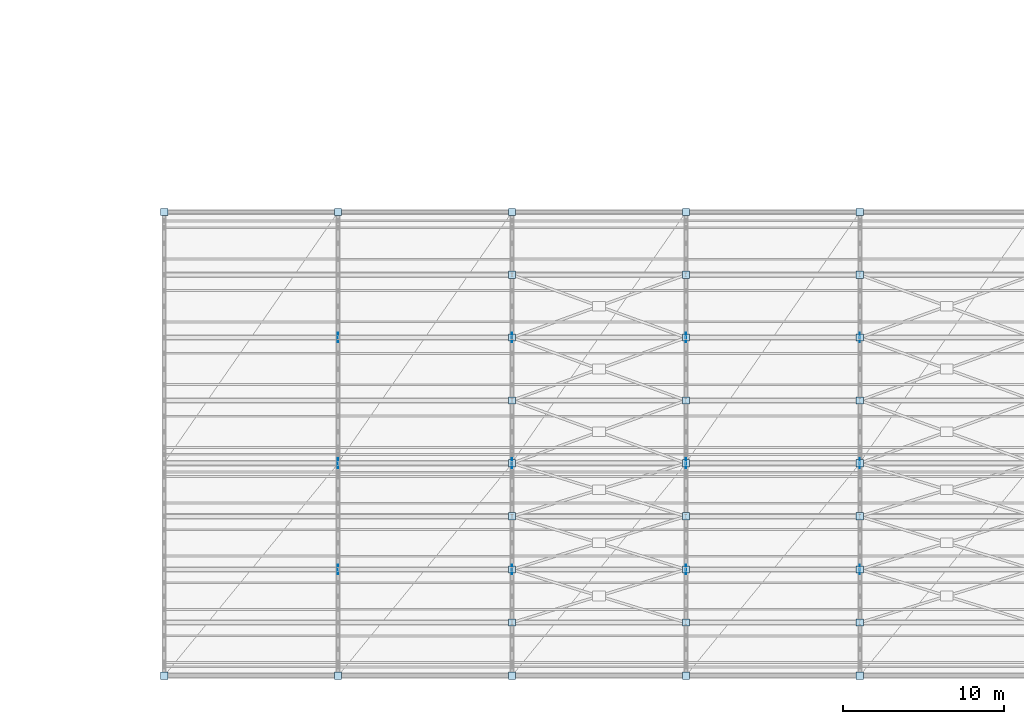
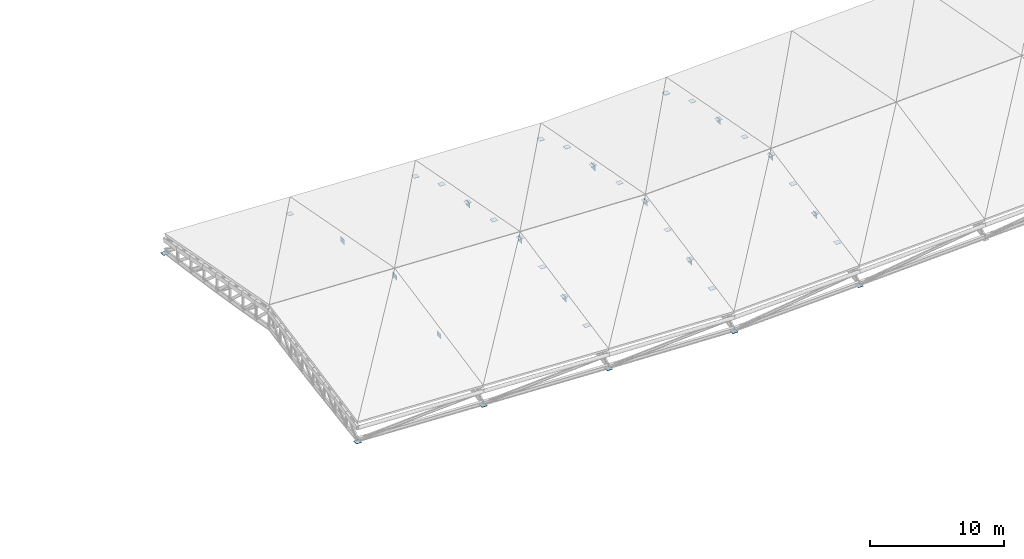
# One storey, part 63 of 89: 43 plates.
"""IFC4 building model written with IfcOpenShell, lengths in metres."""

from ifc_helpers import new_model, si_unit, direction, frame, origin, origin_2d, place, context, subcontext, project, spatial, rectangle, extrude, material, layer, layer_set, type_object, element, save


model = new_model("IFC4")

# Units and contexts
model_context = context("Model", 3, precision=1e-05, world=origin(), true_north=direction((0.0, 1.0)))
body_context = subcontext(model_context, "Body", "Model", "MODEL_VIEW")
ifc_project = project(units=[si_unit("LENGTHUNIT", "METRE"), si_unit("AREAUNIT", "SQUARE_METRE"), si_unit("VOLUMEUNIT", "CUBIC_METRE"), si_unit("PLANEANGLEUNIT", "RADIAN"), si_unit("MASSUNIT", "GRAM", prefix="KILO")], contexts=[model_context])

# Site, building, storey
site_placement = place(None, origin())
site = spatial("IfcSite", under=ifc_project, at=site_placement, CompositionType="ELEMENT")
building_placement = place(site_placement, origin())
building = spatial("IfcBuilding", under=site, at=building_placement, Name="Suirenkawa Promenade Aquatics Centre", CompositionType="ELEMENT")
storey_placement = place(building_placement, frame((0.0, 0.0, 9.60009765625)))
storey = spatial("IfcBuildingStorey", under=building, at=storey_placement, Name="L02", CompositionType="ELEMENT", Elevation=9.60009765625)

# Plates
ifc_material = material(Name="Steel IS 2062 E350 (Grade 350)", Category="steel")
ifc_layer_1 = layer(ifc_material, 0.02392578125, Name="Steel IS 2062 E350 (Grade 350)", Category="steel")
ifc_layer_set_1 = layer_set([ifc_layer_1], Name="Steel IS 2062 E350 (Grade 350)")
plate_type_1 = type_object("IfcPlateType", Name="PLT-BEAR-450x450x24", PredefinedType="SHEET", material=ifc_layer_set_1)
for number, where, z_axis, x_axis, name in (
    (1, (79.199951171875, 0.0, -1.485107421875), (0.0, 0.0, 1.0), (1.0, 0.0, 0.0), "Truss node plate TN-03 PLG-0188"),
    (2, (79.199951171875, 28.800048828125, -1.78515625), (0.0, 0.0, 1.0), (1.0, 0.0, 0.0), "Truss node plate TN-03 PLG-0189"),
    (3, (90.0, 0.0, -1.93505859375), (0.0, 0.0, 1.0), (1.0, 0.0, 0.0), "Truss node plate TN-03 PLG-0190"),
    (4, (90.0, 28.800048828125, -1.97509765625), (0.0, 0.0, 1.0), (1.0, 0.0, 0.0), "Truss node plate TN-03 PLG-0191"),
    (5, (100.800048828125, 0.0, -2.385009765625), (0.0, 0.0, 1.0), (1.0, 0.0, 0.0), "Truss node plate TN-03 PLG-0195"),
    (6, (100.800048828125, 28.800048828125, -2.3349609375), (0.0, 0.0, 1.0), (1.0, 0.0, 0.0), "Truss node plate TN-03 PLG-0196"),
    (7, (111.60009765625, 0.0, -2.78515625), (0.0, 0.0, 1.0), (1.0, 0.0, 0.0), "Truss node plate TN-03 PLG-0200"),
    (8, (111.60009765625, 28.800048828125, -2.735107421875), (0.0, 0.0, 1.0), (1.0, 0.0, 0.0), "Truss node plate TN-03 PLG-0201"),
    (9, (122.39990234375, 0.0, -2.385009765625), (0.0, 0.0, 1.0), (1.0, 0.0, 0.0), "Truss node plate TN-03 PLG-0205"),
    (10, (122.39990234375, 28.800048828125, -2.3349609375), (0.0, 0.0, 1.0), (1.0, 0.0, 0.0), "Truss node plate TN-03 PLG-0206"),
):
    element("IfcPlate", number, at=place(storey_placement, frame(where, z_axis=z_axis, x_axis=x_axis)), inside=storey, type_object=plate_type_1, Name=name, PredefinedType="SHEET", context=body_context, shape_type="SweptSolid", body=[
        extrude(rectangle(XDim=0.449951171875, YDim=0.449951171875, at=origin_2d()), origin(), (0.0, 0.0, 1.0), 0.02392578125),
    ])
ifc_layer_2 = layer(ifc_material, 0.01611328125, Name="Steel IS 2062 E350 (Grade 350)", Category="steel")
ifc_layer_set_2 = layer_set([ifc_layer_2], Name="Steel IS 2062 E350 (Grade 350)")
plate_type_2 = type_object("IfcPlateType", Name="PLT-GUSSET-600x450x16", PredefinedType="USERDEFINED", material=ifc_layer_set_2)
for number, where, z_axis, x_axis, name in (
    (11, (90.0, 6.60009765625, 0.27978515625), (0.0, 0.0, 1.0), (0.0, 1.0, 0.0), "Truss node plate TN-06 PLG-0192"),
    (12, (90.0, 13.199951171875, 1.60498046875), (0.0, 0.0, 1.0), (0.0, 1.0, 0.0), "Truss node plate TN-06 PLG-0193"),
    (13, (90.0, 21.0, 0.1298828125), (0.0, 0.0, 1.0), (0.0, 1.0, 0.0), "Truss node plate TN-06 PLG-0194"),
    (14, (100.800048828125, 6.60009765625, -0.169921875), (0.0, 0.0, 1.0), (0.0, 1.0, 0.0), "Truss node plate TN-06 PLG-0197"),
    (15, (100.800048828125, 13.199951171875, 1.15478515625), (0.0, 0.0, 1.0), (0.0, 1.0, 0.0), "Truss node plate TN-06 PLG-0198"),
    (16, (100.800048828125, 21.0, -0.3203125), (0.0, 0.0, 1.0), (0.0, 1.0, 0.0), "Truss node plate TN-06 PLG-0199"),
    (17, (111.60009765625, 6.60009765625, -0.5703125), (0.0, 0.0, 1.0), (0.0, 1.0, 0.0), "Truss node plate TN-06 PLG-0202"),
    (18, (111.60009765625, 13.199951171875, 0.7548828125), (0.0, 0.0, 1.0), (0.0, 1.0, 0.0), "Truss node plate TN-06 PLG-0203"),
    (19, (111.60009765625, 21.0, -0.72021484375), (0.0, 0.0, 1.0), (0.0, 1.0, 0.0), "Truss node plate TN-06 PLG-0204"),
    (20, (122.39990234375, 6.60009765625, -0.169921875), (0.0, 0.0, 1.0), (0.0, 1.0, 0.0), "Truss node plate TN-06 PLG-0207"),
    (21, (122.39990234375, 13.199951171875, 1.15478515625), (0.0, 0.0, 1.0), (0.0, 1.0, 0.0), "Truss node plate TN-06 PLG-0208"),
    (22, (122.39990234375, 21.0, -0.3203125), (0.0, 0.0, 1.0), (0.0, 1.0, 0.0), "Truss node plate TN-06 PLG-0209"),
):
    element("IfcPlate", number, at=place(storey_placement, frame(where, z_axis=z_axis, x_axis=x_axis)), inside=storey, type_object=plate_type_2, Name=name, ObjectType="GUSSET", PredefinedType="USERDEFINED", context=body_context, shape_type="SweptSolid", body=[
        extrude(rectangle(XDim=0.60009765625, YDim=0.01611328125, at=origin_2d()), origin(), (0.0, 0.0, 1.0), 0.449951171875),
    ])
for number, where, z_axis, x_axis, name in (
    (23, (100.800048828125, 3.300048828125, -0.455078125), (0.0, 0.0, 1.0), (1.0, 0.0, 0.0), "Truss node plate TN-06 PLG-0221"),
    (24, (111.60009765625, 6.60009765625, -0.193115234375), (0.0, 0.0, 1.0), (1.0, 0.0, 0.0), "Truss node plate TN-06 PLG-0222"),
    (25, (111.60009765625, 3.300048828125, -0.855224609375), (0.0, 0.0, 1.0), (1.0, 0.0, 0.0), "Truss node plate TN-06 PLG-0223"),
    (26, (100.800048828125, 6.60009765625, 0.206787109375), (0.0, 0.0, 1.0), (1.0, 0.0, 0.0), "Truss node plate TN-06 PLG-0224"),
    (27, (111.60009765625, 9.89990234375, 0.4697265625), (0.0, 0.0, 1.0), (1.0, 0.0, 0.0), "Truss node plate TN-06 PLG-0226"),
    (28, (100.800048828125, 9.89990234375, 0.869873046875), (0.0, 0.0, 1.0), (1.0, 0.0, 0.0), "Truss node plate TN-06 PLG-0227"),
    (29, (111.60009765625, 13.199951171875, 1.1318359375), (0.0, 0.0, 1.0), (1.0, 0.0, 0.0), "Truss node plate TN-06 PLG-0229"),
    (30, (100.800048828125, 13.199951171875, 1.53173828125), (0.0, 0.0, 1.0), (1.0, 0.0, 0.0), "Truss node plate TN-06 PLG-0230"),
    (31, (111.60009765625, 17.10009765625, 0.394775390625), (0.0, 0.0, 1.0), (1.0, 0.0, 0.0), "Truss node plate TN-06 PLG-0232"),
    (32, (100.800048828125, 17.10009765625, 0.7939453125), (0.0, 0.0, 1.0), (1.0, 0.0, 0.0), "Truss node plate TN-06 PLG-0233"),
    (33, (111.60009765625, 21.0, -0.34326171875), (0.0, 0.0, 1.0), (1.0, 0.0, 0.0), "Truss node plate TN-06 PLG-0235"),
    (34, (100.800048828125, 21.0, 0.056884765625), (0.0, 0.0, 1.0), (1.0, 0.0, 0.0), "Truss node plate TN-06 PLG-0236"),
    (35, (111.60009765625, 24.89990234375, -1.080078125), (0.0, 0.0, 1.0), (1.0, 0.0, 0.0), "Truss node plate TN-06 PLG-0238"),
    (36, (100.800048828125, 24.89990234375, -0.68017578125), (0.0, 0.0, 1.0), (1.0, 0.0, 0.0), "Truss node plate TN-06 PLG-0239"),
    (37, (122.39990234375, 3.300048828125, -0.455078125), (0.0, 0.0, 1.0), (1.0, 0.0, 0.0), "Truss node plate TN-06 PLG-0241"),
    (38, (122.39990234375, 6.60009765625, 0.206787109375), (0.0, 0.0, 1.0), (1.0, 0.0, 0.0), "Truss node plate TN-06 PLG-0244"),
    (39, (122.39990234375, 9.89990234375, 0.869873046875), (0.0, 0.0, 1.0), (1.0, 0.0, 0.0), "Truss node plate TN-06 PLG-0247"),
    (40, (122.39990234375, 13.199951171875, 1.53173828125), (0.0, 0.0, 1.0), (1.0, 0.0, 0.0), "Truss node plate TN-06 PLG-0250"),
    (41, (122.39990234375, 17.10009765625, 0.7939453125), (0.0, 0.0, 1.0), (1.0, 0.0, 0.0), "Truss node plate TN-06 PLG-0253"),
    (42, (122.39990234375, 21.0, 0.056884765625), (0.0, 0.0, 1.0), (1.0, 0.0, 0.0), "Truss node plate TN-06 PLG-0256"),
    (43, (122.39990234375, 24.89990234375, -0.68017578125), (0.0, 0.0, 1.0), (1.0, 0.0, 0.0), "Truss node plate TN-06 PLG-0259"),
):
    element("IfcPlate", number, at=place(storey_placement, frame(where, z_axis=z_axis, x_axis=x_axis)), inside=storey, type_object=plate_type_2, Name=name, ObjectType="GUSSET", PredefinedType="USERDEFINED", context=body_context, shape_type="SweptSolid", body=[
        extrude(rectangle(XDim=0.449951171875, YDim=0.449951171875, at=origin_2d()), origin(), (0.0, 0.0, 1.0), 0.01611328125),
    ])

save(model, "model.ifc")
